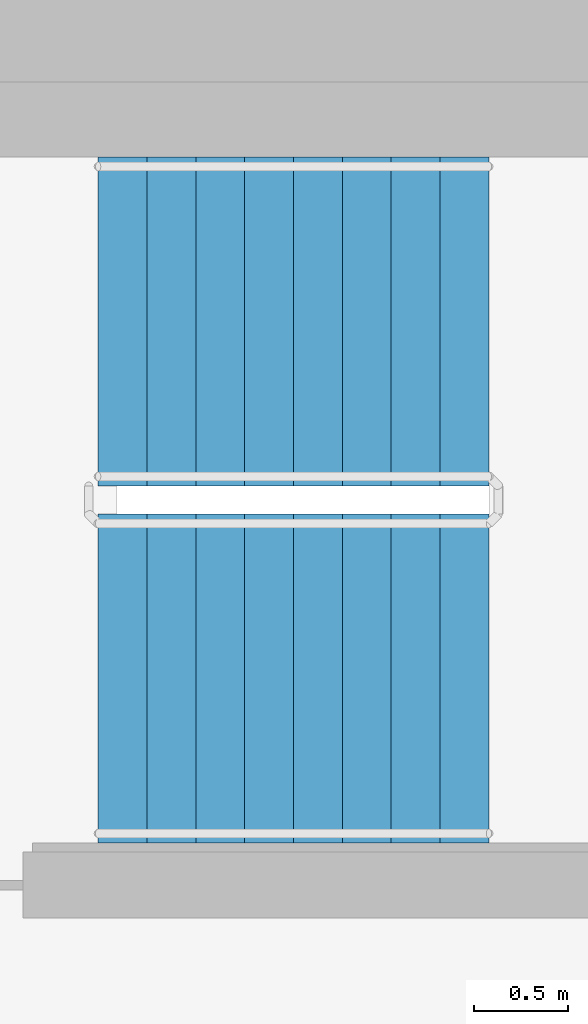
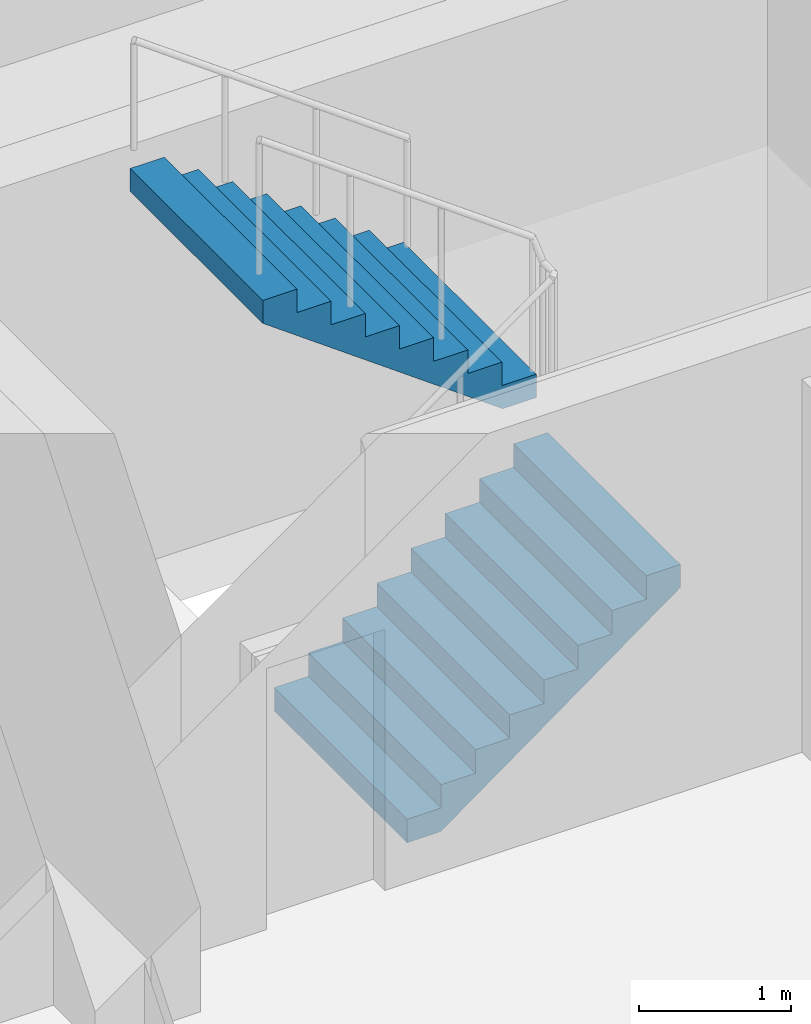
# One storey, part 13 of 18: 2 stair flights, 1 element without a shape of its own.
"""IFC4 building model written with IfcOpenShell, lengths in metres."""

from ifc_helpers import new_model, si_unit, direction, frame, origin, place, context, subcontext, project, spatial, faceted_brep, material, type_object, element, aggregate, save


model = new_model("IFC4")

# Units and contexts
model_context = context("Model", 3, precision=1e-05, world=origin(), true_north=direction((0.0, 1.0)))
body_context = subcontext(model_context, "Body", "Model", "MODEL_VIEW")
ifc_project = project(units=[si_unit("LENGTHUNIT", "METRE"), si_unit("AREAUNIT", "SQUARE_METRE"), si_unit("VOLUMEUNIT", "CUBIC_METRE"), si_unit("PLANEANGLEUNIT", "RADIAN"), si_unit("MASSUNIT", "GRAM", prefix="KILO")], contexts=[model_context])

# Site, building, storey
site_placement = place(None, origin())
site = spatial("IfcSite", under=ifc_project, at=site_placement, CompositionType="ELEMENT")
building_placement = place(site_placement, origin())
building = spatial("IfcBuilding", under=site, at=building_placement, Name="Ipe Terrace Towers", CompositionType="ELEMENT")
storey_placement = place(building_placement, frame((0.0, 0.0, 171.10009765625)))
storey = spatial("IfcBuildingStorey", under=building, at=storey_placement, Name="L47", CompositionType="ELEMENT", Elevation=171.10009765625)

# Stair, stair flights
ifc_material_1 = material(Name="Concrete C30/37", Category="concrete")
stair_type = type_object("IfcStairType", Name="Protected exit stair", PredefinedType="HALF_TURN_STAIR", material=ifc_material_1)
stair_placement = place(storey_placement, origin())
stair = element("IfcStair", 1, at=stair_placement, inside=storey, type_object=stair_type, Name="L47 Exit stair T1-C1", PredefinedType="HALF_TURN_STAIR")
ifc_material_2 = material(Name="Concrete C30/37", Category="concrete")
stair_flight_type = type_object("IfcStairFlightType", Name="Exit stair flight 1750", PredefinedType="STRAIGHT", material=ifc_material_2)
stair_flight_1_placement = place(storey_placement, frame((-26.300048828125, 2.77490234375, 0.0), z_axis=(0.0, 0.0, 1.0), x_axis=(1.0, 0.0, 0.0)))
stair_flight_1 = element("IfcStairFlight", 2, at=stair_flight_1_placement, type_object=stair_flight_type, Name="T1-ST1 flight 1", NumberOfRisers=9, NumberOfTreads=8, PredefinedType="STRAIGHT", RiserHeight=0.188888889, TreadLength=0.26, context=body_context, shape_type="Brep", body=[
    faceted_brep([(0.255126953125, -0.875, 0.0), (2.080078125, -0.875, 1.325927734375), (2.080078125, -0.875, 1.51123046875), (1.820068359375, -0.875, 1.51123046875), (1.820068359375, -0.875, 1.322265625), (1.56005859375, -0.875, 1.322265625), (1.56005859375, -0.875, 1.13330078125), (1.300048828125, -0.875, 1.13330078125), (1.300048828125, -0.875, 0.9443359375), (1.0400390625, -0.875, 0.9443359375), (1.0400390625, -0.875, 0.755615234375), (0.780029296875, -0.875, 0.755615234375), (0.780029296875, -0.875, 0.566650390625), (0.52001953125, -0.875, 0.566650390625), (0.52001953125, -0.875, 0.377685546875), (0.260009765625, -0.875, 0.377685546875), (0.260009765625, -0.875, 0.18896484375), (0.0, -0.875, 0.18896484375), (0.0, -0.875, 0.0), (0.0, 0.875, 0.0), (0.0, 0.875, 0.18896484375), (0.260009765625, 0.875, 0.18896484375), (0.260009765625, 0.875, 0.377685546875), (0.52001953125, 0.875, 0.377685546875), (0.52001953125, 0.875, 0.566650390625), (0.780029296875, 0.875, 0.566650390625), (0.780029296875, 0.875, 0.755615234375), (1.0400390625, 0.875, 0.755615234375), (1.0400390625, 0.875, 0.9443359375), (1.300048828125, 0.875, 0.9443359375), (1.300048828125, 0.875, 1.13330078125), (1.56005859375, 0.875, 1.13330078125), (1.56005859375, 0.875, 1.322265625), (1.820068359375, 0.875, 1.322265625), (1.820068359375, 0.875, 1.51123046875), (2.080078125, 0.875, 1.51123046875), (2.080078125, 0.875, 1.325927734375), (0.255126953125, 0.875, 0.0), (0.0, -0.300048828125, 0.18896484375), (0.0, -0.1201171875, 0.18896484375), (0.0, -0.06005859375, 0.18896484375), (0.0, -0.030029296875, 0.18896484375), (0.0, -0.010009765625, 0.18896484375), (0.0, 0.0, 0.18896484375), (0.0, 0.010009765625, 0.18896484375), (0.0, 0.030029296875, 0.18896484375), (0.0, 0.06005859375, 0.18896484375), (0.0, 0.1201171875, 0.18896484375), (0.0, 0.300048828125, 0.18896484375), (0.0, 0.300048828125, 0.0), (0.0, 0.1201171875, 0.0), (0.0, 0.06005859375, 0.0), (0.0, 0.030029296875, 0.0), (0.0, 0.010009765625, 0.0), (0.0, 0.0, 0.0), (0.0, -0.010009765625, 0.0), (0.0, -0.030029296875, 0.0), (0.0, -0.06005859375, 0.0), (0.0, -0.1201171875, 0.0), (0.0, -0.300048828125, 0.0), (0.260009765625, -0.300048828125, 0.18896484375), (0.260009765625, -0.1201171875, 0.18896484375), (0.260009765625, -0.06005859375, 0.18896484375), (0.260009765625, -0.030029296875, 0.18896484375), (0.260009765625, -0.010009765625, 0.18896484375), (0.260009765625, 0.0, 0.18896484375), (0.260009765625, 0.010009765625, 0.18896484375), (0.260009765625, 0.030029296875, 0.18896484375), (0.260009765625, 0.06005859375, 0.18896484375), (0.260009765625, 0.1201171875, 0.18896484375), (0.260009765625, 0.300048828125, 0.18896484375), (0.260009765625, -0.300048828125, 0.377685546875), (0.260009765625, -0.1201171875, 0.377685546875), (0.260009765625, -0.06005859375, 0.377685546875), (0.260009765625, -0.030029296875, 0.377685546875), (0.260009765625, -0.010009765625, 0.377685546875), (0.260009765625, 0.0, 0.377685546875), (0.260009765625, 0.010009765625, 0.377685546875), (0.260009765625, 0.030029296875, 0.377685546875), (0.260009765625, 0.06005859375, 0.377685546875), (0.260009765625, 0.1201171875, 0.377685546875), (0.260009765625, 0.300048828125, 0.377685546875), (0.52001953125, -0.300048828125, 0.377685546875), (0.52001953125, -0.1201171875, 0.377685546875), (0.52001953125, -0.06005859375, 0.377685546875), (0.52001953125, -0.030029296875, 0.377685546875), (0.52001953125, -0.010009765625, 0.377685546875), (0.52001953125, 0.0, 0.377685546875), (0.52001953125, 0.010009765625, 0.377685546875), (0.52001953125, 0.030029296875, 0.377685546875), (0.52001953125, 0.06005859375, 0.377685546875), (0.52001953125, 0.1201171875, 0.377685546875), (0.52001953125, 0.300048828125, 0.377685546875), (0.52001953125, -0.300048828125, 0.566650390625), (0.52001953125, -0.1201171875, 0.566650390625), (0.52001953125, -0.06005859375, 0.566650390625), (0.52001953125, -0.030029296875, 0.566650390625), (0.52001953125, -0.010009765625, 0.566650390625), (0.52001953125, 0.0, 0.566650390625), (0.52001953125, 0.010009765625, 0.566650390625), (0.52001953125, 0.030029296875, 0.566650390625), (0.52001953125, 0.06005859375, 0.566650390625), (0.52001953125, 0.1201171875, 0.566650390625), (0.52001953125, 0.300048828125, 0.566650390625), (0.780029296875, -0.300048828125, 0.566650390625), (0.780029296875, -0.1201171875, 0.566650390625), (0.780029296875, -0.06005859375, 0.566650390625), (0.780029296875, -0.030029296875, 0.566650390625), (0.780029296875, -0.010009765625, 0.566650390625), (0.780029296875, 0.0, 0.566650390625), (0.780029296875, 0.010009765625, 0.566650390625), (0.780029296875, 0.030029296875, 0.566650390625), (0.780029296875, 0.06005859375, 0.566650390625), (0.780029296875, 0.1201171875, 0.566650390625), (0.780029296875, 0.300048828125, 0.566650390625), (0.780029296875, -0.300048828125, 0.755615234375), (0.780029296875, -0.1201171875, 0.755615234375), (0.780029296875, -0.06005859375, 0.755615234375), (0.780029296875, -0.030029296875, 0.755615234375), (0.780029296875, -0.010009765625, 0.755615234375), (0.780029296875, 0.0, 0.755615234375), (0.780029296875, 0.010009765625, 0.755615234375), (0.780029296875, 0.030029296875, 0.755615234375), (0.780029296875, 0.06005859375, 0.755615234375), (0.780029296875, 0.1201171875, 0.755615234375), (0.780029296875, 0.300048828125, 0.755615234375), (1.0400390625, -0.300048828125, 0.755615234375), (1.0400390625, -0.1201171875, 0.755615234375), (1.0400390625, -0.06005859375, 0.755615234375), (1.0400390625, -0.030029296875, 0.755615234375), (1.0400390625, -0.010009765625, 0.755615234375), (1.0400390625, 0.0, 0.755615234375), (1.0400390625, 0.010009765625, 0.755615234375), (1.0400390625, 0.030029296875, 0.755615234375), (1.0400390625, 0.06005859375, 0.755615234375), (1.0400390625, 0.1201171875, 0.755615234375), (1.0400390625, 0.300048828125, 0.755615234375), (1.0400390625, -0.300048828125, 0.9443359375), (1.0400390625, -0.1201171875, 0.9443359375), (1.0400390625, -0.06005859375, 0.9443359375), (1.0400390625, -0.030029296875, 0.9443359375), (1.0400390625, -0.010009765625, 0.9443359375), (1.0400390625, 0.0, 0.9443359375), (1.0400390625, 0.010009765625, 0.9443359375), (1.0400390625, 0.030029296875, 0.9443359375), (1.0400390625, 0.06005859375, 0.9443359375), (1.0400390625, 0.1201171875, 0.9443359375), (1.0400390625, 0.300048828125, 0.9443359375), (1.300048828125, -0.300048828125, 0.9443359375), (1.300048828125, -0.1201171875, 0.9443359375), (1.300048828125, -0.06005859375, 0.9443359375), (1.300048828125, -0.030029296875, 0.9443359375), (1.300048828125, -0.010009765625, 0.9443359375), (1.300048828125, 0.0, 0.9443359375), (1.300048828125, 0.010009765625, 0.9443359375), (1.300048828125, 0.030029296875, 0.9443359375), (1.300048828125, 0.06005859375, 0.9443359375), (1.300048828125, 0.1201171875, 0.9443359375), (1.300048828125, 0.300048828125, 0.9443359375), (1.300048828125, -0.300048828125, 1.13330078125), (1.300048828125, -0.1201171875, 1.13330078125), (1.300048828125, -0.06005859375, 1.13330078125), (1.300048828125, -0.030029296875, 1.13330078125), (1.300048828125, -0.010009765625, 1.13330078125), (1.300048828125, 0.0, 1.13330078125), (1.300048828125, 0.010009765625, 1.13330078125), (1.300048828125, 0.030029296875, 1.13330078125), (1.300048828125, 0.06005859375, 1.13330078125), (1.300048828125, 0.1201171875, 1.13330078125), (1.300048828125, 0.300048828125, 1.13330078125), (1.56005859375, -0.300048828125, 1.13330078125), (1.56005859375, -0.1201171875, 1.13330078125), (1.56005859375, -0.06005859375, 1.13330078125), (1.56005859375, -0.030029296875, 1.13330078125), (1.56005859375, -0.010009765625, 1.13330078125), (1.56005859375, 0.0, 1.13330078125), (1.56005859375, 0.010009765625, 1.13330078125), (1.56005859375, 0.030029296875, 1.13330078125), (1.56005859375, 0.06005859375, 1.13330078125), (1.56005859375, 0.1201171875, 1.13330078125), (1.56005859375, 0.300048828125, 1.13330078125), (1.56005859375, -0.300048828125, 1.322265625), (1.56005859375, -0.1201171875, 1.322265625), (1.56005859375, -0.06005859375, 1.322265625), (1.56005859375, -0.030029296875, 1.322265625), (1.56005859375, -0.010009765625, 1.322265625), (1.56005859375, 0.0, 1.322265625), (1.56005859375, 0.010009765625, 1.322265625), (1.56005859375, 0.030029296875, 1.322265625), (1.56005859375, 0.06005859375, 1.322265625), (1.56005859375, 0.1201171875, 1.322265625), (1.56005859375, 0.300048828125, 1.322265625), (1.820068359375, -0.300048828125, 1.322265625), (1.820068359375, -0.1201171875, 1.322265625), (1.820068359375, -0.06005859375, 1.322265625), (1.820068359375, -0.030029296875, 1.322265625), (1.820068359375, -0.010009765625, 1.322265625), (1.820068359375, 0.0, 1.322265625), (1.820068359375, 0.010009765625, 1.322265625), (1.820068359375, 0.030029296875, 1.322265625), (1.820068359375, 0.06005859375, 1.322265625), (1.820068359375, 0.1201171875, 1.322265625), (1.820068359375, 0.300048828125, 1.322265625), (1.820068359375, -0.300048828125, 1.51123046875), (1.820068359375, -0.1201171875, 1.51123046875), (1.820068359375, -0.06005859375, 1.51123046875), (1.820068359375, -0.030029296875, 1.51123046875), (1.820068359375, -0.010009765625, 1.51123046875), (1.820068359375, 0.0, 1.51123046875), (1.820068359375, 0.010009765625, 1.51123046875), (1.820068359375, 0.030029296875, 1.51123046875), (1.820068359375, 0.06005859375, 1.51123046875), (1.820068359375, 0.1201171875, 1.51123046875), (1.820068359375, 0.300048828125, 1.51123046875), (2.080078125, -0.300048828125, 1.51123046875), (2.080078125, -0.1201171875, 1.51123046875), (2.080078125, -0.06005859375, 1.51123046875), (2.080078125, -0.030029296875, 1.51123046875), (2.080078125, -0.010009765625, 1.51123046875), (2.080078125, 0.0, 1.51123046875), (2.080078125, 0.010009765625, 1.51123046875), (2.080078125, 0.030029296875, 1.51123046875), (2.080078125, 0.06005859375, 1.51123046875), (2.080078125, 0.1201171875, 1.51123046875), (2.080078125, 0.300048828125, 1.51123046875), (2.080078125, -0.300048828125, 1.325927734375), (2.080078125, -0.1201171875, 1.325927734375), (2.080078125, -0.06005859375, 1.325927734375), (2.080078125, -0.030029296875, 1.325927734375), (2.080078125, -0.010009765625, 1.325927734375), (2.080078125, 0.0, 1.325927734375), (2.080078125, 0.010009765625, 1.325927734375), (2.080078125, 0.030029296875, 1.325927734375), (2.080078125, 0.06005859375, 1.325927734375), (2.080078125, 0.1201171875, 1.325927734375), (2.080078125, 0.300048828125, 1.325927734375), (0.255126953125, -0.300048828125, 0.0), (0.255126953125, -0.1201171875, 0.0), (0.255126953125, -0.06005859375, 0.0), (0.255126953125, -0.030029296875, 0.0), (0.255126953125, -0.010009765625, 0.0), (0.255126953125, 0.0, 0.0), (0.255126953125, 0.010009765625, 0.0), (0.255126953125, 0.030029296875, 0.0), (0.255126953125, 0.06005859375, 0.0), (0.255126953125, 0.1201171875, 0.0), (0.255126953125, 0.300048828125, 0.0)], [[[0, 1, 2, 3, 4, 5, 6, 7, 8, 9, 10, 11, 12, 13, 14, 15, 16, 17, 18]], [[19, 20, 21, 22, 23, 24, 25, 26, 27, 28, 29, 30, 31, 32, 33, 34, 35, 36, 37]], [[17, 38, 39, 40, 41, 42, 43, 44, 45, 46, 47, 48, 20, 19, 49, 50, 51, 52, 53, 54, 55, 56, 57, 58, 59, 18]], [[16, 60, 61, 62, 63, 64, 65, 66, 67, 68, 69, 70, 21, 20, 48, 47, 46, 45, 44, 43, 42, 41, 40, 39, 38, 17]], [[15, 71, 72, 73, 74, 75, 76, 77, 78, 79, 80, 81, 22, 21, 70, 69, 68, 67, 66, 65, 64, 63, 62, 61, 60, 16]], [[14, 82, 83, 84, 85, 86, 87, 88, 89, 90, 91, 92, 23, 22, 81, 80, 79, 78, 77, 76, 75, 74, 73, 72, 71, 15]], [[13, 93, 94, 95, 96, 97, 98, 99, 100, 101, 102, 103, 24, 23, 92, 91, 90, 89, 88, 87, 86, 85, 84, 83, 82, 14]], [[12, 104, 105, 106, 107, 108, 109, 110, 111, 112, 113, 114, 25, 24, 103, 102, 101, 100, 99, 98, 97, 96, 95, 94, 93, 13]], [[11, 115, 116, 117, 118, 119, 120, 121, 122, 123, 124, 125, 26, 25, 114, 113, 112, 111, 110, 109, 108, 107, 106, 105, 104, 12]], [[10, 126, 127, 128, 129, 130, 131, 132, 133, 134, 135, 136, 27, 26, 125, 124, 123, 122, 121, 120, 119, 118, 117, 116, 115, 11]], [[9, 137, 138, 139, 140, 141, 142, 143, 144, 145, 146, 147, 28, 27, 136, 135, 134, 133, 132, 131, 130, 129, 128, 127, 126, 10]], [[8, 148, 149, 150, 151, 152, 153, 154, 155, 156, 157, 158, 29, 28, 147, 146, 145, 144, 143, 142, 141, 140, 139, 138, 137, 9]], [[7, 159, 160, 161, 162, 163, 164, 165, 166, 167, 168, 169, 30, 29, 158, 157, 156, 155, 154, 153, 152, 151, 150, 149, 148, 8]], [[6, 170, 171, 172, 173, 174, 175, 176, 177, 178, 179, 180, 31, 30, 169, 168, 167, 166, 165, 164, 163, 162, 161, 160, 159, 7]], [[5, 181, 182, 183, 184, 185, 186, 187, 188, 189, 190, 191, 32, 31, 180, 179, 178, 177, 176, 175, 174, 173, 172, 171, 170, 6]], [[4, 192, 193, 194, 195, 196, 197, 198, 199, 200, 201, 202, 33, 32, 191, 190, 189, 188, 187, 186, 185, 184, 183, 182, 181, 5]], [[3, 203, 204, 205, 206, 207, 208, 209, 210, 211, 212, 213, 34, 33, 202, 201, 200, 199, 198, 197, 196, 195, 194, 193, 192, 4]], [[2, 214, 215, 216, 217, 218, 219, 220, 221, 222, 223, 224, 35, 34, 213, 212, 211, 210, 209, 208, 207, 206, 205, 204, 203, 3]], [[1, 225, 226, 227, 228, 229, 230, 231, 232, 233, 234, 235, 36, 35, 224, 223, 222, 221, 220, 219, 218, 217, 216, 215, 214, 2]], [[0, 236, 237, 238, 239, 240, 241, 242, 243, 244, 245, 246, 37, 36, 235, 234, 233, 232, 231, 230, 229, 228, 227, 226, 225, 1]], [[18, 59, 58, 57, 56, 55, 54, 53, 52, 51, 50, 49, 19, 37, 246, 245, 244, 243, 242, 241, 240, 239, 238, 237, 236, 0]]]),
])
stair_flight_2_placement = place(storey_placement, frame((-24.219970703125, 4.675048828125, 1.699951171875), z_axis=(0.0, 0.0, 1.0), x_axis=(-1.0, 0.0, 0.0)))
stair_flight_2 = element("IfcStairFlight", 3, at=stair_flight_2_placement, type_object=stair_flight_type, Name="T1-ST1 flight 2", NumberOfRisers=9, NumberOfTreads=8, PredefinedType="STRAIGHT", RiserHeight=0.188888889, TreadLength=0.26, context=body_context, shape_type="Brep", body=[
    faceted_brep([(0.255126953125, -0.875, 0.0), (2.080078125, -0.875, 1.325927734375), (2.080078125, -0.875, 1.51123046875), (1.820068359375, -0.875, 1.51123046875), (1.820068359375, -0.875, 1.322265625), (1.56005859375, -0.875, 1.322265625), (1.56005859375, -0.875, 1.13330078125), (1.300048828125, -0.875, 1.13330078125), (1.300048828125, -0.875, 0.9443359375), (1.0400390625, -0.875, 0.9443359375), (1.0400390625, -0.875, 0.755615234375), (0.780029296875, -0.875, 0.755615234375), (0.780029296875, -0.875, 0.566650390625), (0.52001953125, -0.875, 0.566650390625), (0.52001953125, -0.875, 0.377685546875), (0.260009765625, -0.875, 0.377685546875), (0.260009765625, -0.875, 0.18896484375), (0.0, -0.875, 0.18896484375), (0.0, -0.875, 0.0), (0.0, 0.875, 0.0), (0.0, 0.875, 0.18896484375), (0.260009765625, 0.875, 0.18896484375), (0.260009765625, 0.875, 0.377685546875), (0.52001953125, 0.875, 0.377685546875), (0.52001953125, 0.875, 0.566650390625), (0.780029296875, 0.875, 0.566650390625), (0.780029296875, 0.875, 0.755615234375), (1.0400390625, 0.875, 0.755615234375), (1.0400390625, 0.875, 0.9443359375), (1.300048828125, 0.875, 0.9443359375), (1.300048828125, 0.875, 1.13330078125), (1.56005859375, 0.875, 1.13330078125), (1.56005859375, 0.875, 1.322265625), (1.820068359375, 0.875, 1.322265625), (1.820068359375, 0.875, 1.51123046875), (2.080078125, 0.875, 1.51123046875), (2.080078125, 0.875, 1.325927734375), (0.255126953125, 0.875, 0.0), (0.0, -0.300048828125, 0.18896484375), (0.0, -0.1201171875, 0.18896484375), (0.0, -0.06005859375, 0.18896484375), (0.0, -0.030029296875, 0.18896484375), (0.0, -0.010009765625, 0.18896484375), (0.0, 0.0, 0.18896484375), (0.0, 0.010009765625, 0.18896484375), (0.0, 0.030029296875, 0.18896484375), (0.0, 0.06005859375, 0.18896484375), (0.0, 0.1201171875, 0.18896484375), (0.0, 0.300048828125, 0.18896484375), (0.0, 0.300048828125, 0.0), (0.0, 0.1201171875, 0.0), (0.0, 0.06005859375, 0.0), (0.0, 0.030029296875, 0.0), (0.0, 0.010009765625, 0.0), (0.0, 0.0, 0.0), (0.0, -0.010009765625, 0.0), (0.0, -0.030029296875, 0.0), (0.0, -0.06005859375, 0.0), (0.0, -0.1201171875, 0.0), (0.0, -0.300048828125, 0.0), (0.260009765625, -0.300048828125, 0.18896484375), (0.260009765625, -0.1201171875, 0.18896484375), (0.260009765625, -0.06005859375, 0.18896484375), (0.260009765625, -0.030029296875, 0.18896484375), (0.260009765625, -0.010009765625, 0.18896484375), (0.260009765625, 0.0, 0.18896484375), (0.260009765625, 0.010009765625, 0.18896484375), (0.260009765625, 0.030029296875, 0.18896484375), (0.260009765625, 0.06005859375, 0.18896484375), (0.260009765625, 0.1201171875, 0.18896484375), (0.260009765625, 0.300048828125, 0.18896484375), (0.260009765625, -0.300048828125, 0.377685546875), (0.260009765625, -0.1201171875, 0.377685546875), (0.260009765625, -0.06005859375, 0.377685546875), (0.260009765625, -0.030029296875, 0.377685546875), (0.260009765625, -0.010009765625, 0.377685546875), (0.260009765625, 0.0, 0.377685546875), (0.260009765625, 0.010009765625, 0.377685546875), (0.260009765625, 0.030029296875, 0.377685546875), (0.260009765625, 0.06005859375, 0.377685546875), (0.260009765625, 0.1201171875, 0.377685546875), (0.260009765625, 0.300048828125, 0.377685546875), (0.52001953125, -0.300048828125, 0.377685546875), (0.52001953125, -0.1201171875, 0.377685546875), (0.52001953125, -0.06005859375, 0.377685546875), (0.52001953125, -0.030029296875, 0.377685546875), (0.52001953125, -0.010009765625, 0.377685546875), (0.52001953125, 0.0, 0.377685546875), (0.52001953125, 0.010009765625, 0.377685546875), (0.52001953125, 0.030029296875, 0.377685546875), (0.52001953125, 0.06005859375, 0.377685546875), (0.52001953125, 0.1201171875, 0.377685546875), (0.52001953125, 0.300048828125, 0.377685546875), (0.52001953125, -0.300048828125, 0.566650390625), (0.52001953125, -0.1201171875, 0.566650390625), (0.52001953125, -0.06005859375, 0.566650390625), (0.52001953125, -0.030029296875, 0.566650390625), (0.52001953125, -0.010009765625, 0.566650390625), (0.52001953125, 0.0, 0.566650390625), (0.52001953125, 0.010009765625, 0.566650390625), (0.52001953125, 0.030029296875, 0.566650390625), (0.52001953125, 0.06005859375, 0.566650390625), (0.52001953125, 0.1201171875, 0.566650390625), (0.52001953125, 0.300048828125, 0.566650390625), (0.780029296875, -0.300048828125, 0.566650390625), (0.780029296875, -0.1201171875, 0.566650390625), (0.780029296875, -0.06005859375, 0.566650390625), (0.780029296875, -0.030029296875, 0.566650390625), (0.780029296875, -0.010009765625, 0.566650390625), (0.780029296875, 0.0, 0.566650390625), (0.780029296875, 0.010009765625, 0.566650390625), (0.780029296875, 0.030029296875, 0.566650390625), (0.780029296875, 0.06005859375, 0.566650390625), (0.780029296875, 0.1201171875, 0.566650390625), (0.780029296875, 0.300048828125, 0.566650390625), (0.780029296875, -0.300048828125, 0.755615234375), (0.780029296875, -0.1201171875, 0.755615234375), (0.780029296875, -0.06005859375, 0.755615234375), (0.780029296875, -0.030029296875, 0.755615234375), (0.780029296875, -0.010009765625, 0.755615234375), (0.780029296875, 0.0, 0.755615234375), (0.780029296875, 0.010009765625, 0.755615234375), (0.780029296875, 0.030029296875, 0.755615234375), (0.780029296875, 0.06005859375, 0.755615234375), (0.780029296875, 0.1201171875, 0.755615234375), (0.780029296875, 0.300048828125, 0.755615234375), (1.0400390625, -0.300048828125, 0.755615234375), (1.0400390625, -0.1201171875, 0.755615234375), (1.0400390625, -0.06005859375, 0.755615234375), (1.0400390625, -0.030029296875, 0.755615234375), (1.0400390625, -0.010009765625, 0.755615234375), (1.0400390625, 0.0, 0.755615234375), (1.0400390625, 0.010009765625, 0.755615234375), (1.0400390625, 0.030029296875, 0.755615234375), (1.0400390625, 0.06005859375, 0.755615234375), (1.0400390625, 0.1201171875, 0.755615234375), (1.0400390625, 0.300048828125, 0.755615234375), (1.0400390625, -0.300048828125, 0.9443359375), (1.0400390625, -0.1201171875, 0.9443359375), (1.0400390625, -0.06005859375, 0.9443359375), (1.0400390625, -0.030029296875, 0.9443359375), (1.0400390625, -0.010009765625, 0.9443359375), (1.0400390625, 0.0, 0.9443359375), (1.0400390625, 0.010009765625, 0.9443359375), (1.0400390625, 0.030029296875, 0.9443359375), (1.0400390625, 0.06005859375, 0.9443359375), (1.0400390625, 0.1201171875, 0.9443359375), (1.0400390625, 0.300048828125, 0.9443359375), (1.300048828125, -0.300048828125, 0.9443359375), (1.300048828125, -0.1201171875, 0.9443359375), (1.300048828125, -0.06005859375, 0.9443359375), (1.300048828125, -0.030029296875, 0.9443359375), (1.300048828125, -0.010009765625, 0.9443359375), (1.300048828125, 0.0, 0.9443359375), (1.300048828125, 0.010009765625, 0.9443359375), (1.300048828125, 0.030029296875, 0.9443359375), (1.300048828125, 0.06005859375, 0.9443359375), (1.300048828125, 0.1201171875, 0.9443359375), (1.300048828125, 0.300048828125, 0.9443359375), (1.300048828125, -0.300048828125, 1.13330078125), (1.300048828125, -0.1201171875, 1.13330078125), (1.300048828125, -0.06005859375, 1.13330078125), (1.300048828125, -0.030029296875, 1.13330078125), (1.300048828125, -0.010009765625, 1.13330078125), (1.300048828125, 0.0, 1.13330078125), (1.300048828125, 0.010009765625, 1.13330078125), (1.300048828125, 0.030029296875, 1.13330078125), (1.300048828125, 0.06005859375, 1.13330078125), (1.300048828125, 0.1201171875, 1.13330078125), (1.300048828125, 0.300048828125, 1.13330078125), (1.56005859375, -0.300048828125, 1.13330078125), (1.56005859375, -0.1201171875, 1.13330078125), (1.56005859375, -0.06005859375, 1.13330078125), (1.56005859375, -0.030029296875, 1.13330078125), (1.56005859375, -0.010009765625, 1.13330078125), (1.56005859375, 0.0, 1.13330078125), (1.56005859375, 0.010009765625, 1.13330078125), (1.56005859375, 0.030029296875, 1.13330078125), (1.56005859375, 0.06005859375, 1.13330078125), (1.56005859375, 0.1201171875, 1.13330078125), (1.56005859375, 0.300048828125, 1.13330078125), (1.56005859375, -0.300048828125, 1.322265625), (1.56005859375, -0.1201171875, 1.322265625), (1.56005859375, -0.06005859375, 1.322265625), (1.56005859375, -0.030029296875, 1.322265625), (1.56005859375, -0.010009765625, 1.322265625), (1.56005859375, 0.0, 1.322265625), (1.56005859375, 0.010009765625, 1.322265625), (1.56005859375, 0.030029296875, 1.322265625), (1.56005859375, 0.06005859375, 1.322265625), (1.56005859375, 0.1201171875, 1.322265625), (1.56005859375, 0.300048828125, 1.322265625), (1.820068359375, -0.300048828125, 1.322265625), (1.820068359375, -0.1201171875, 1.322265625), (1.820068359375, -0.06005859375, 1.322265625), (1.820068359375, -0.030029296875, 1.322265625), (1.820068359375, -0.010009765625, 1.322265625), (1.820068359375, 0.0, 1.322265625), (1.820068359375, 0.010009765625, 1.322265625), (1.820068359375, 0.030029296875, 1.322265625), (1.820068359375, 0.06005859375, 1.322265625), (1.820068359375, 0.1201171875, 1.322265625), (1.820068359375, 0.300048828125, 1.322265625), (1.820068359375, -0.300048828125, 1.51123046875), (1.820068359375, -0.1201171875, 1.51123046875), (1.820068359375, -0.06005859375, 1.51123046875), (1.820068359375, -0.030029296875, 1.51123046875), (1.820068359375, -0.010009765625, 1.51123046875), (1.820068359375, 0.0, 1.51123046875), (1.820068359375, 0.010009765625, 1.51123046875), (1.820068359375, 0.030029296875, 1.51123046875), (1.820068359375, 0.06005859375, 1.51123046875), (1.820068359375, 0.1201171875, 1.51123046875), (1.820068359375, 0.300048828125, 1.51123046875), (2.080078125, -0.300048828125, 1.51123046875), (2.080078125, -0.1201171875, 1.51123046875), (2.080078125, -0.06005859375, 1.51123046875), (2.080078125, -0.030029296875, 1.51123046875), (2.080078125, -0.010009765625, 1.51123046875), (2.080078125, 0.0, 1.51123046875), (2.080078125, 0.010009765625, 1.51123046875), (2.080078125, 0.030029296875, 1.51123046875), (2.080078125, 0.06005859375, 1.51123046875), (2.080078125, 0.1201171875, 1.51123046875), (2.080078125, 0.300048828125, 1.51123046875), (2.080078125, -0.300048828125, 1.325927734375), (2.080078125, -0.1201171875, 1.325927734375), (2.080078125, -0.06005859375, 1.325927734375), (2.080078125, -0.030029296875, 1.325927734375), (2.080078125, -0.010009765625, 1.325927734375), (2.080078125, 0.0, 1.325927734375), (2.080078125, 0.010009765625, 1.325927734375), (2.080078125, 0.030029296875, 1.325927734375), (2.080078125, 0.06005859375, 1.325927734375), (2.080078125, 0.1201171875, 1.325927734375), (2.080078125, 0.300048828125, 1.325927734375), (0.255126953125, -0.300048828125, 0.0), (0.255126953125, -0.1201171875, 0.0), (0.255126953125, -0.06005859375, 0.0), (0.255126953125, -0.030029296875, 0.0), (0.255126953125, -0.010009765625, 0.0), (0.255126953125, 0.0, 0.0), (0.255126953125, 0.010009765625, 0.0), (0.255126953125, 0.030029296875, 0.0), (0.255126953125, 0.06005859375, 0.0), (0.255126953125, 0.1201171875, 0.0), (0.255126953125, 0.300048828125, 0.0)], [[[0, 1, 2, 3, 4, 5, 6, 7, 8, 9, 10, 11, 12, 13, 14, 15, 16, 17, 18]], [[19, 20, 21, 22, 23, 24, 25, 26, 27, 28, 29, 30, 31, 32, 33, 34, 35, 36, 37]], [[17, 38, 39, 40, 41, 42, 43, 44, 45, 46, 47, 48, 20, 19, 49, 50, 51, 52, 53, 54, 55, 56, 57, 58, 59, 18]], [[16, 60, 61, 62, 63, 64, 65, 66, 67, 68, 69, 70, 21, 20, 48, 47, 46, 45, 44, 43, 42, 41, 40, 39, 38, 17]], [[15, 71, 72, 73, 74, 75, 76, 77, 78, 79, 80, 81, 22, 21, 70, 69, 68, 67, 66, 65, 64, 63, 62, 61, 60, 16]], [[14, 82, 83, 84, 85, 86, 87, 88, 89, 90, 91, 92, 23, 22, 81, 80, 79, 78, 77, 76, 75, 74, 73, 72, 71, 15]], [[13, 93, 94, 95, 96, 97, 98, 99, 100, 101, 102, 103, 24, 23, 92, 91, 90, 89, 88, 87, 86, 85, 84, 83, 82, 14]], [[12, 104, 105, 106, 107, 108, 109, 110, 111, 112, 113, 114, 25, 24, 103, 102, 101, 100, 99, 98, 97, 96, 95, 94, 93, 13]], [[11, 115, 116, 117, 118, 119, 120, 121, 122, 123, 124, 125, 26, 25, 114, 113, 112, 111, 110, 109, 108, 107, 106, 105, 104, 12]], [[10, 126, 127, 128, 129, 130, 131, 132, 133, 134, 135, 136, 27, 26, 125, 124, 123, 122, 121, 120, 119, 118, 117, 116, 115, 11]], [[9, 137, 138, 139, 140, 141, 142, 143, 144, 145, 146, 147, 28, 27, 136, 135, 134, 133, 132, 131, 130, 129, 128, 127, 126, 10]], [[8, 148, 149, 150, 151, 152, 153, 154, 155, 156, 157, 158, 29, 28, 147, 146, 145, 144, 143, 142, 141, 140, 139, 138, 137, 9]], [[7, 159, 160, 161, 162, 163, 164, 165, 166, 167, 168, 169, 30, 29, 158, 157, 156, 155, 154, 153, 152, 151, 150, 149, 148, 8]], [[6, 170, 171, 172, 173, 174, 175, 176, 177, 178, 179, 180, 31, 30, 169, 168, 167, 166, 165, 164, 163, 162, 161, 160, 159, 7]], [[5, 181, 182, 183, 184, 185, 186, 187, 188, 189, 190, 191, 32, 31, 180, 179, 178, 177, 176, 175, 174, 173, 172, 171, 170, 6]], [[4, 192, 193, 194, 195, 196, 197, 198, 199, 200, 201, 202, 33, 32, 191, 190, 189, 188, 187, 186, 185, 184, 183, 182, 181, 5]], [[3, 203, 204, 205, 206, 207, 208, 209, 210, 211, 212, 213, 34, 33, 202, 201, 200, 199, 198, 197, 196, 195, 194, 193, 192, 4]], [[2, 214, 215, 216, 217, 218, 219, 220, 221, 222, 223, 224, 35, 34, 213, 212, 211, 210, 209, 208, 207, 206, 205, 204, 203, 3]], [[1, 225, 226, 227, 228, 229, 230, 231, 232, 233, 234, 235, 36, 35, 224, 223, 222, 221, 220, 219, 218, 217, 216, 215, 214, 2]], [[0, 236, 237, 238, 239, 240, 241, 242, 243, 244, 245, 246, 37, 36, 235, 234, 233, 232, 231, 230, 229, 228, 227, 226, 225, 1]], [[18, 59, 58, 57, 56, 55, 54, 53, 52, 51, 50, 49, 19, 37, 246, 245, 244, 243, 242, 241, 240, 239, 238, 237, 236, 0]]]),
])
aggregate(stair, [stair_flight_1, stair_flight_2])

save(model, "model.ifc")
